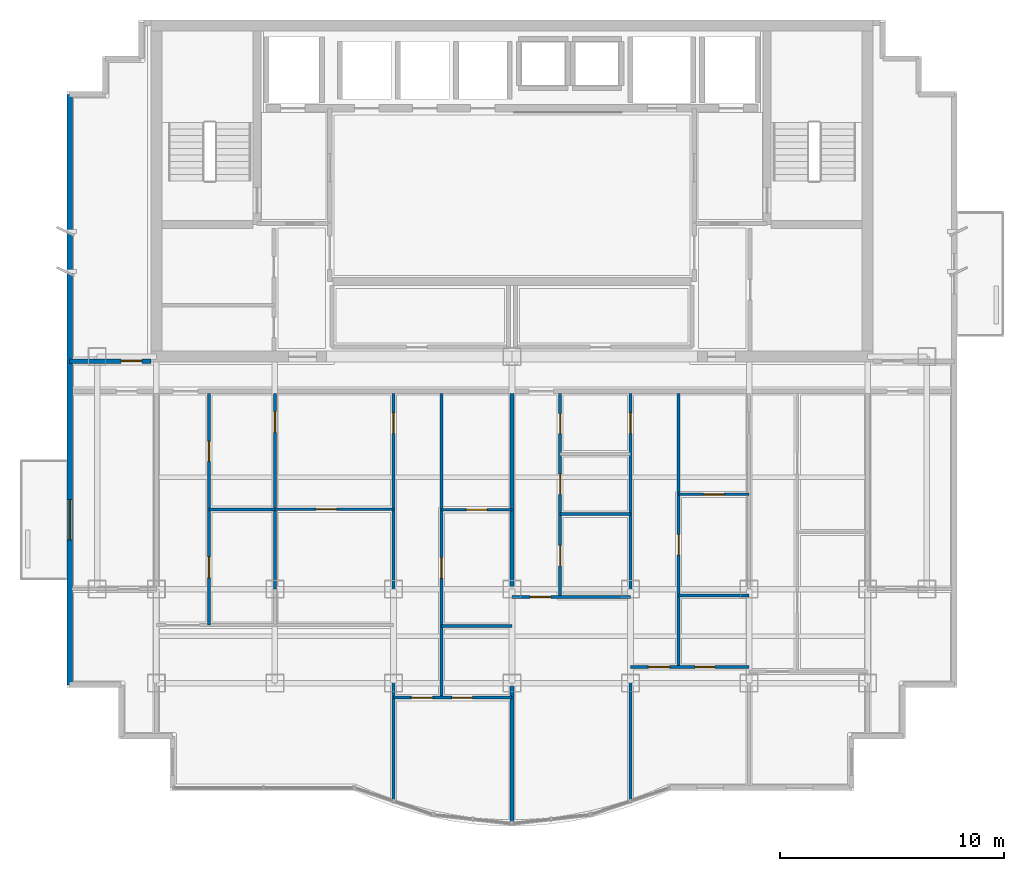
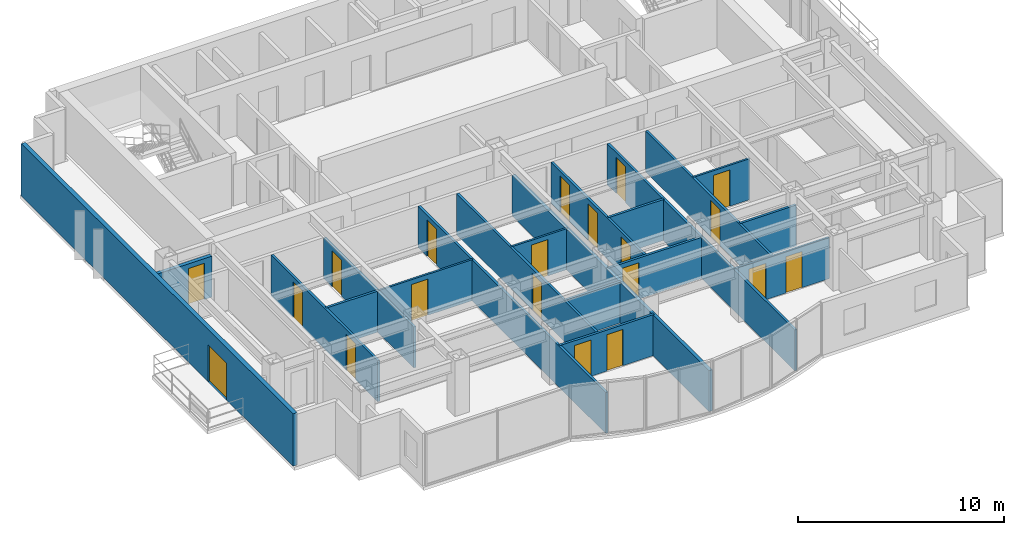
# One storey, part 4 of 9: 20 doors, 20 walls, 20 openings.
"""IFC4 building model written with IfcOpenShell, lengths in metres."""

from ifc_helpers import new_model, si_unit, direction, frame, frame_2d, origin, place, context, subcontext, project, spatial, rectangle, extrude, material, layer, layer_set, type_object, element, fill, save


model = new_model("IFC4")

# Units and contexts
model_context = context("Model", 3, precision=1e-05, world=origin(), true_north=direction((0.0, 1.0)))
body_context = subcontext(model_context, "Body", "Model", "MODEL_VIEW")
ifc_project = project(units=[si_unit("LENGTHUNIT", "METRE"), si_unit("AREAUNIT", "SQUARE_METRE"), si_unit("VOLUMEUNIT", "CUBIC_METRE"), si_unit("PLANEANGLEUNIT", "RADIAN"), si_unit("MASSUNIT", "GRAM", prefix="KILO")], contexts=[model_context])

# Site, building, storey
site_placement = place(None, origin())
site = spatial("IfcSite", under=ifc_project, at=site_placement, CompositionType="ELEMENT")
building_placement = place(site_placement, origin())
building = spatial("IfcBuilding", under=site, at=building_placement, Name="Qianlan Lanfeng Residences", CompositionType="ELEMENT")
storey_placement = place(building_placement, frame((0.0, 0.0, 209.89990234375)))
storey = spatial("IfcBuildingStorey", under=building, at=storey_placement, Name="L57", CompositionType="ELEMENT", Elevation=209.89990234375)

# Wall, opening, door
ifc_material_1 = material(Name="Concrete C42", Category="concrete")
ifc_layer_1 = layer(ifc_material_1, 0.239990234375)
ifc_layer_set_1 = layer_set([ifc_layer_1], Name="Concrete C42")
wall_type_1 = type_object("IfcWallType", Name="EW-240", PredefinedType="SOLIDWALL", material=ifc_layer_set_1)
wall_1_placement = place(storey_placement, frame((6.719970703125, 36.929931640625, 0.0), z_axis=(0.0, 0.0, 1.0), x_axis=(0.0, -1.0, 0.0)))
wall_1 = element("IfcWall", 1, at=wall_1_placement, inside=storey, type_object=wall_type_1, Name="L57 Terrace/Balcony Access Exterior Wall 21", PredefinedType="SOLIDWALL", context=body_context, shape_type="SweptSolid", body=[
    extrude(rectangle(XDim=26.409912109375, YDim=0.239990234375, at=frame_2d((13.205078125, 0.0))), origin(), (0.0, 0.0, 1.0), 3.110107421875),
])
opening_1_placement = place(wall_1_placement, frame((18.1298828125, 0.0, 0.0)))
opening_1 = element("IfcOpeningElement", 2, at=opening_1_placement, cuts=wall_1, Name="Opening L57-D-WB-S", PredefinedType="OPENING", context=body_context, shape_type="SweptSolid", body=[
    extrude(rectangle(XDim=1.800048828125, YDim=2.199951171875, at=frame_2d((0.89990234375, 1.10009765625))), frame((0.0, 0.1298828125, 0.0), z_axis=(0.0, -1.0, 0.0), x_axis=(1.0, 0.0, 0.0)), (0.0, 0.0, 1.0), 0.260009765625),
])
ifc_material_2 = material(Name="Anodised Bronze Aluminium Framed Glass", Category="aluminium")
door_type_1 = type_object("IfcDoorType", Name="DT-BAL1", OperationType="NOTDEFINED", PredefinedType="DOOR", material=ifc_material_2)
door_1_placement = place(opening_1_placement, frame((1.800048828125, 0.0, 0.0), z_axis=(0.0, 0.0, 1.0), x_axis=(-1.0, 0.0, 0.0)))
door_1 = element("IfcDoor", 3, at=door_1_placement, inside=storey, type_object=door_type_1, Name="L57 Exterior Access Door WB-S", OperationType="DOUBLE_DOOR_SLIDING", OverallHeight=2.199951171875, OverallWidth=1.800048828125, PredefinedType="DOOR", context=body_context, shape_type="SweptSolid", body=[
    extrude(rectangle(XDim=1.800048828125, YDim=2.199951171875, at=frame_2d((0.89990234375, 1.10009765625))), frame((0.0, 0.02490234375, 0.0), z_axis=(0.0, -1.0, 0.0), x_axis=(1.0, 0.0, 0.0)), (0.0, 0.0, 1.0), 0.050048828125),
])
fill(opening_1, door_1)

ifc_material_3 = material(Name="Demountable Acoustic Framing Partition 110 mm")
ifc_layer_2 = layer(ifc_material_3, 0.110107421875)
ifc_layer_set_2 = layer_set([ifc_layer_2], Name="Demountable Acoustic Framing Partition 110 mm")
wall_type_2 = type_object("IfcWallType", Name="PW-110", PredefinedType="MOVABLE", material=ifc_layer_set_2)
wall_2_placement = place(storey_placement, frame((15.89990234375, 18.3701171875, 0.0), z_axis=(0.0, 0.0, 1.0), x_axis=(1.0, 0.0, 0.0)))
wall_2 = element("IfcWall", 4, at=wall_2_placement, inside=storey, type_object=wall_type_2, Name="L57 U01 Study Split", PredefinedType="MOVABLE", context=body_context, shape_type="SweptSolid", body=[
    extrude(rectangle(XDim=5.300048828125, YDim=0.110107421875, at=frame_2d((2.64990234375, 0.0))), origin(), (0.0, 0.0, 1.0), 2.43017578125),
])
opening_2_placement = place(wall_2_placement, frame((1.840087890625, 0.0, 0.0)))
opening_2 = element("IfcOpeningElement", 5, at=opening_2_placement, cuts=wall_2, Name="Opening L57-D22", PredefinedType="OPENING", context=body_context, shape_type="SweptSolid", body=[
    extrude(rectangle(XDim=0.919921875, YDim=2.14990234375, at=frame_2d((0.4599609375, 1.074951171875))), frame((0.0, 0.06494140625, 0.0), z_axis=(0.0, -1.0, 0.0), x_axis=(1.0, 0.0, 0.0)), (0.0, 0.0, 1.0), 0.130126953125),
])
ifc_material_4 = material(Name="Glazed Timber Kitchen/Study Door", Category="wood")
door_type_2 = type_object("IfcDoorType", Name="DT-INT", OperationType="NOTDEFINED", PredefinedType="DOOR", material=ifc_material_4)
door_2_placement = place(opening_2_placement, origin())
door_2 = element("IfcDoor", 6, at=door_2_placement, inside=storey, type_object=door_type_2, Name="L57 U01 Study Inner Door L57-D22 (DT-INT)", OperationType="SINGLE_SWING_RIGHT", OverallHeight=2.14990234375, OverallWidth=0.919921875, PredefinedType="DOOR", context=body_context, shape_type="SweptSolid", body=[
    extrude(rectangle(XDim=0.919921875, YDim=2.14990234375, at=frame_2d((0.4599609375, 1.074951171875))), frame((0.0, 0.02490234375, 0.0), z_axis=(0.0, -1.0, 0.0), x_axis=(1.0, 0.0, 0.0)), (0.0, 0.0, 1.0), 0.050048828125),
])
fill(opening_2, door_2)

wall_3_placement = place(storey_placement, frame((23.35009765625, 18.34912109375, 0.0), z_axis=(0.0, 0.0, 1.0), x_axis=(1.0, 0.0, 0.0)))
wall_3 = element("IfcWall", 7, at=wall_3_placement, inside=storey, type_object=wall_type_2, Name="L57 U01 Wardrobe Split", PredefinedType="MOVABLE", context=body_context, shape_type="SweptSolid", body=[
    extrude(rectangle(XDim=3.14990234375, YDim=0.110107421875, at=frame_2d((1.574951171875, 0.0))), origin(), (0.0, 0.0, 1.0), 2.43017578125),
])
opening_3_placement = place(wall_3_placement, frame((1.114990234375, 0.0, 0.0)))
opening_3 = element("IfcOpeningElement", 8, at=opening_3_placement, cuts=wall_3, Name="Opening L57-D26", PredefinedType="OPENING", context=body_context, shape_type="SweptSolid", body=[
    extrude(rectangle(XDim=0.919921875, YDim=2.14990234375, at=frame_2d((0.4599609375, 1.074951171875))), frame((0.0, 0.06494140625, 0.0), z_axis=(0.0, -1.0, 0.0), x_axis=(1.0, 0.0, 0.0)), (0.0, 0.0, 1.0), 0.130126953125),
])
door_3_placement = place(opening_3_placement, origin())
door_3 = element("IfcDoor", 9, at=door_3_placement, inside=storey, type_object=door_type_2, Name="L57 U01 Dressing Inner Door L57-D26 (DT-INT)", OperationType="SINGLE_SWING_RIGHT", OverallHeight=2.14990234375, OverallWidth=0.919921875, PredefinedType="DOOR", context=body_context, shape_type="SweptSolid", body=[
    extrude(rectangle(XDim=0.919921875, YDim=2.14990234375, at=frame_2d((0.4599609375, 1.074951171875))), frame((0.0, 0.02490234375, 0.0), z_axis=(0.0, -1.0, 0.0), x_axis=(1.0, 0.0, 0.0)), (0.0, 0.0, 1.0), 0.050048828125),
])
fill(opening_3, door_3)

wall_4_placement = place(storey_placement, frame((33.949951171875, 19.034912109375, 0.0), z_axis=(0.0, 0.0, 1.0), x_axis=(1.0, 0.0, 0.0)))
wall_4 = element("IfcWall", 10, at=wall_4_placement, inside=storey, type_object=wall_type_2, Name="L57 U02 Wardrobe Split", PredefinedType="MOVABLE", context=body_context, shape_type="SweptSolid", body=[
    extrude(rectangle(XDim=3.150146484375, YDim=0.110107421875, at=frame_2d((1.5751953125, 0.0))), origin(), (0.0, 0.0, 1.0), 2.43017578125),
])
opening_4_placement = place(wall_4_placement, frame((1.114990234375, 0.0, 0.0)))
opening_4 = element("IfcOpeningElement", 11, at=opening_4_placement, cuts=wall_4, Name="Opening L57-D37", PredefinedType="OPENING", context=body_context, shape_type="SweptSolid", body=[
    extrude(rectangle(XDim=0.919921875, YDim=2.14990234375, at=frame_2d((0.4599609375, 1.074951171875))), frame((0.0, 0.06494140625, 0.0), z_axis=(0.0, -1.0, 0.0), x_axis=(1.0, 0.0, 0.0)), (0.0, 0.0, 1.0), 0.130126953125),
])
door_4_placement = place(opening_4_placement, origin())
door_4 = element("IfcDoor", 12, at=door_4_placement, inside=storey, type_object=door_type_2, Name="L57 U02 Dressing Inner Door L57-D37 (DT-INT)", OperationType="SINGLE_SWING_LEFT", OverallHeight=2.14990234375, OverallWidth=0.919921875, PredefinedType="DOOR", context=body_context, shape_type="SweptSolid", body=[
    extrude(rectangle(XDim=0.919921875, YDim=2.14990234375, at=frame_2d((0.4599609375, 1.074951171875))), frame((0.0, 0.02490234375, 0.0), z_axis=(0.0, -1.0, 0.0), x_axis=(1.0, 0.0, 0.0)), (0.0, 0.0, 1.0), 0.050048828125),
])
fill(opening_4, door_4)

ifc_material_5 = material(Name="Moisture-Resistant Gypsum Partition 135 mm")
ifc_layer_3 = layer(ifc_material_5, 0.135009765625)
ifc_layer_set_3 = layer_set([ifc_layer_3], Name="Moisture-Resistant Gypsum Partition 135 mm")
wall_type_3 = type_object("IfcWallType", Name="PW-135", PredefinedType="PARTITIONING", material=ifc_layer_set_3)
wall_5_placement = place(storey_placement, frame((15.89990234375, 14.800048828125, 0.0), z_axis=(0.0, 0.0, 1.0), x_axis=(0.0, 1.0, 0.0)))
wall_5 = element("IfcWall", 13, at=wall_5_placement, inside=storey, type_object=wall_type_3, Name="L57 U01 North Spine Wall", PredefinedType="PARTITIONING", context=body_context, shape_type="SweptSolid", body=[
    extrude(rectangle(XDim=8.75, YDim=0.135009765625, at=frame_2d((4.375, 0.0))), origin(), (0.0, 0.0, 1.0), 2.43017578125),
])
opening_5_placement = place(wall_5_placement, frame((7.014892578125, 0.0, 0.0)))
opening_5 = element("IfcOpeningElement", 14, at=opening_5_placement, cuts=wall_5, Name="Opening L57-D17", PredefinedType="OPENING", context=body_context, shape_type="SweptSolid", body=[
    extrude(rectangle(XDim=0.919921875, YDim=2.14990234375, at=frame_2d((0.4599609375, 1.074951171875))), frame((0.0, 0.07763671875, 0.0), z_axis=(0.0, -1.0, 0.0), x_axis=(1.0, 0.0, 0.0)), (0.0, 0.0, 1.0), 0.155029296875),
])
door_5_placement = place(opening_5_placement, origin())
door_5 = element("IfcDoor", 15, at=door_5_placement, inside=storey, type_object=door_type_2, Name="L57 U01 North Suite Door L57-D17 (DT-INT)", OperationType="SINGLE_SWING_LEFT", OverallHeight=2.14990234375, OverallWidth=0.919921875, PredefinedType="DOOR", context=body_context, shape_type="SweptSolid", body=[
    extrude(rectangle(XDim=0.919921875, YDim=2.14990234375, at=frame_2d((0.4599609375, 1.074951171875))), frame((0.0, 0.02490234375, 0.0), z_axis=(0.0, -1.0, 0.0), x_axis=(1.0, 0.0, 0.0)), (0.0, 0.0, 1.0), 0.050048828125),
])
fill(opening_5, door_5)

wall_6_placement = place(storey_placement, frame((21.199951171875, 5.3310546875, 0.0), z_axis=(0.0, 0.0, 1.0), x_axis=(0.0, 1.0, 0.0)))
wall_6 = element("IfcWall", 16, at=wall_6_placement, inside=storey, type_object=wall_type_3, Name="L57 U01 Bay Spine Wall 2", PredefinedType="PARTITIONING", context=body_context, shape_type="SweptSolid", body=[
    extrude(rectangle(XDim=18.218994140625, YDim=0.135009765625, at=frame_2d((9.109375, 0.0))), origin(), (0.0, 0.0, 1.0), 2.43017578125),
])
opening_6_placement = place(wall_6_placement, frame((16.43408203125, 0.0, 0.0)))
opening_6 = element("IfcOpeningElement", 17, at=opening_6_placement, cuts=wall_6, Name="Opening L57-D18", PredefinedType="OPENING", context=body_context, shape_type="SweptSolid", body=[
    extrude(rectangle(XDim=0.919921875, YDim=2.14990234375, at=frame_2d((0.4599609375, 1.074951171875))), frame((0.0, 0.07763671875, 0.0), z_axis=(0.0, -1.0, 0.0), x_axis=(1.0, 0.0, 0.0)), (0.0, 0.0, 1.0), 0.155029296875),
])
door_6_placement = place(opening_6_placement, origin())
door_6 = element("IfcDoor", 18, at=door_6_placement, inside=storey, type_object=door_type_2, Name="L57 U01 Internal Hall Door L57-D18 (DT-INT)", OperationType="SINGLE_SWING_RIGHT", OverallHeight=2.14990234375, OverallWidth=0.919921875, PredefinedType="DOOR", context=body_context, shape_type="SweptSolid", body=[
    extrude(rectangle(XDim=0.919921875, YDim=2.14990234375, at=frame_2d((0.4599609375, 1.074951171875))), frame((0.0, 0.02490234375, 0.0), z_axis=(0.0, -1.0, 0.0), x_axis=(1.0, 0.0, 0.0)), (0.0, 0.0, 1.0), 0.050048828125),
])
fill(opening_6, door_6)

# Wall, openings, doors
wall_7_placement = place(storey_placement, frame((12.949951171875, 13.18994140625, 0.0), z_axis=(0.0, 0.0, 1.0), x_axis=(0.0, 1.0, 0.0)))
wall_7 = element("IfcWall", 19, at=wall_7_placement, inside=storey, type_object=wall_type_3, Name="L57 U01 Kitchen/Bath Wall", PredefinedType="PARTITIONING", context=body_context, shape_type="SweptSolid", body=[
    extrude(rectangle(XDim=10.360107421875, YDim=0.135009765625, at=frame_2d((5.18017578125, 0.0))), origin(), (0.0, 0.0, 1.0), 2.43017578125),
])
opening_7_placement = place(wall_7_placement, frame((2.1298828125, 0.0, 0.0)))
opening_7 = element("IfcOpeningElement", 20, at=opening_7_placement, cuts=wall_7, Name="Opening L57-D20", PredefinedType="OPENING", context=body_context, shape_type="SweptSolid", body=[
    extrude(rectangle(XDim=0.919921875, YDim=2.14990234375, at=frame_2d((0.4599609375, 1.074951171875))), frame((0.0, 0.07763671875, 0.0), z_axis=(0.0, -1.0, 0.0), x_axis=(1.0, 0.0, 0.0)), (0.0, 0.0, 1.0), 0.155029296875),
])
opening_8_placement = place(wall_7_placement, frame((7.320068359375, 0.0, 0.0)))
opening_8 = element("IfcOpeningElement", 21, at=opening_8_placement, cuts=wall_7, Name="Opening L57-D21", PredefinedType="OPENING", context=body_context, shape_type="SweptSolid", body=[
    extrude(rectangle(XDim=0.89990234375, YDim=2.14990234375, at=frame_2d((0.449951171875, 1.074951171875))), frame((0.0, 0.07763671875, 0.0), z_axis=(0.0, -1.0, 0.0), x_axis=(1.0, 0.0, 0.0)), (0.0, 0.0, 1.0), 0.155029296875),
])
door_7_placement = place(opening_7_placement, origin())
door_7 = element("IfcDoor", 22, at=door_7_placement, inside=storey, type_object=door_type_2, Name="L57 U01 Kitchen Door L57-D20 (DT-INT)", OperationType="SINGLE_SWING_RIGHT", OverallHeight=2.14990234375, OverallWidth=0.919921875, PredefinedType="DOOR", context=body_context, shape_type="SweptSolid", body=[
    extrude(rectangle(XDim=0.919921875, YDim=2.14990234375, at=frame_2d((0.4599609375, 1.074951171875))), frame((0.0, 0.02490234375, 0.0), z_axis=(0.0, -1.0, 0.0), x_axis=(1.0, 0.0, 0.0)), (0.0, 0.0, 1.0), 0.050048828125),
])
fill(opening_7, door_7)
ifc_material_6 = material(Name="Moisture-Resistant Timber Leaf", Category="wood")
door_type_3 = type_object("IfcDoorType", Name="DT-WC", OperationType="NOTDEFINED", PredefinedType="DOOR", material=ifc_material_6)
door_8_placement = place(opening_8_placement, origin())
door_8 = element("IfcDoor", 23, at=door_8_placement, inside=storey, type_object=door_type_3, Name="L57 U01 Bathroom Door L57-D21 (DT-WC)", OperationType="SINGLE_SWING_LEFT", OverallHeight=2.14990234375, OverallWidth=0.89990234375, PredefinedType="DOOR", context=body_context, shape_type="SweptSolid", body=[
    extrude(rectangle(XDim=0.89990234375, YDim=2.14990234375, at=frame_2d((0.449951171875, 1.074951171875))), frame((0.0, 0.02490234375, 0.0), z_axis=(0.0, -1.0, 0.0), x_axis=(1.0, 0.0, 0.0)), (0.0, 0.0, 1.0), 0.050048828125),
])
fill(opening_8, door_8)

# Wall
wall_8_placement = place(storey_placement, frame((12.949951171875, 18.3701171875, 0.0), z_axis=(0.0, 0.0, 1.0), x_axis=(1.0, 0.0, 0.0)))
element("IfcWall", 24, at=wall_8_placement, inside=storey, type_object=wall_type_3, Name="L57 U01 Bath Split Wall", PredefinedType="PARTITIONING", context=body_context, shape_type="SweptSolid", body=[
    extrude(rectangle(XDim=2.949951171875, YDim=0.135009765625, at=frame_2d((1.47509765625, 0.0))), origin(), (0.0, 0.0, 1.0), 2.43017578125),
])

# Wall, openings, doors
wall_9_placement = place(storey_placement, frame((21.199951171875, 9.947998046875, 0.0), z_axis=(0.0, 0.0, 1.0), x_axis=(1.0, 0.0, 0.0)))
wall_9 = element("IfcWall", 25, at=wall_9_placement, inside=storey, type_object=wall_type_3, Name="L57 U01 Master Bedroom North Wall", PredefinedType="PARTITIONING", context=body_context, shape_type="SweptSolid", body=[
    extrude(rectangle(XDim=5.300048828125, YDim=0.135009765625, at=frame_2d((2.64990234375, 0.0))), origin(), (0.0, 0.0, 1.0), 2.43017578125),
])
opening_9_placement = place(wall_9_placement, frame((0.800048828125, 0.0, 0.0)))
opening_9 = element("IfcOpeningElement", 26, at=opening_9_placement, cuts=wall_9, Name="Opening L57-D23", PredefinedType="OPENING", context=body_context, shape_type="SweptSolid", body=[
    extrude(rectangle(XDim=0.949951171875, YDim=2.14990234375, at=frame_2d((0.47509765625, 1.074951171875))), frame((0.0, 0.07763671875, 0.0), z_axis=(0.0, -1.0, 0.0), x_axis=(1.0, 0.0, 0.0)), (0.0, 0.0, 1.0), 0.155029296875),
])
opening_10_placement = place(wall_9_placement, frame((2.625, 0.0, 0.0)))
opening_10 = element("IfcOpeningElement", 27, at=opening_10_placement, cuts=wall_9, Name="Opening L57-D24", PredefinedType="OPENING", context=body_context, shape_type="SweptSolid", body=[
    extrude(rectangle(XDim=0.89990234375, YDim=2.14990234375, at=frame_2d((0.449951171875, 1.074951171875))), frame((0.0, 0.07763671875, 0.0), z_axis=(0.0, -1.0, 0.0), x_axis=(1.0, 0.0, 0.0)), (0.0, 0.0, 1.0), 0.155029296875),
])
ifc_material_7 = material(Name="Painted Solid-Core Timber Leaf", Category="wood")
door_type_4 = type_object("IfcDoorType", Name="DT-BED", OperationType="NOTDEFINED", PredefinedType="DOOR", material=ifc_material_7)
door_9_placement = place(opening_9_placement, frame((0.949951171875, 0.0, 0.0), z_axis=(0.0, 0.0, 1.0), x_axis=(-1.0, 0.0, 0.0)))
door_9 = element("IfcDoor", 28, at=door_9_placement, inside=storey, type_object=door_type_4, Name="L57 U01 Master Bedroom Door L57-D23 (DT-BED)", OperationType="SINGLE_SWING_LEFT", OverallHeight=2.14990234375, OverallWidth=0.949951171875, PredefinedType="DOOR", context=body_context, shape_type="SweptSolid", body=[
    extrude(rectangle(XDim=0.949951171875, YDim=2.14990234375, at=frame_2d((0.47509765625, 1.074951171875))), frame((0.0, 0.02490234375, 0.0), z_axis=(0.0, -1.0, 0.0), x_axis=(1.0, 0.0, 0.0)), (0.0, 0.0, 1.0), 0.050048828125),
])
fill(opening_9, door_9)
door_10_placement = place(opening_10_placement, origin())
door_10 = element("IfcDoor", 29, at=door_10_placement, inside=storey, type_object=door_type_3, Name="L57 U01 En-Suite Bathroom Door L57-D24 (DT-WC)", OperationType="SINGLE_SWING_RIGHT", OverallHeight=2.14990234375, OverallWidth=0.89990234375, PredefinedType="DOOR", context=body_context, shape_type="SweptSolid", body=[
    extrude(rectangle(XDim=0.89990234375, YDim=2.14990234375, at=frame_2d((0.449951171875, 1.074951171875))), frame((0.0, 0.02490234375, 0.0), z_axis=(0.0, -1.0, 0.0), x_axis=(1.0, 0.0, 0.0)), (0.0, 0.0, 1.0), 0.050048828125),
])
fill(opening_10, door_10)

# Wall, opening, door
wall_10_placement = place(storey_placement, frame((23.35009765625, 9.947998046875, 0.0), z_axis=(0.0, 0.0, 1.0), x_axis=(0.0, 1.0, 0.0)))
wall_10 = element("IfcWall", 30, at=wall_10_placement, inside=storey, type_object=wall_type_3, Name="L57 U01 Master Passage Wall", PredefinedType="PARTITIONING", context=body_context, shape_type="SweptSolid", body=[
    extrude(rectangle(XDim=13.60205078125, YDim=0.135009765625, at=frame_2d((6.801025390625, 0.0))), origin(), (0.0, 0.0, 1.0), 2.43017578125),
])
opening_11_placement = place(wall_10_placement, frame((5.340087890625, 0.0, 0.0)))
opening_11 = element("IfcOpeningElement", 31, at=opening_11_placement, cuts=wall_10, Name="Opening L57-D25", PredefinedType="OPENING", context=body_context, shape_type="SweptSolid", body=[
    extrude(rectangle(XDim=0.919921875, YDim=2.14990234375, at=frame_2d((0.4599609375, 1.074951171875))), frame((0.0, 0.07763671875, 0.0), z_axis=(0.0, -1.0, 0.0), x_axis=(1.0, 0.0, 0.0)), (0.0, 0.0, 1.0), 0.155029296875),
])
door_11_placement = place(opening_11_placement, origin())
door_11 = element("IfcDoor", 32, at=door_11_placement, inside=storey, type_object=door_type_2, Name="L57 U01 Wardrobe Door L57-D25 (DT-INT)", OperationType="SINGLE_SWING_LEFT", OverallHeight=2.14990234375, OverallWidth=0.919921875, PredefinedType="DOOR", context=body_context, shape_type="SweptSolid", body=[
    extrude(rectangle(XDim=0.919921875, YDim=2.14990234375, at=frame_2d((0.4599609375, 1.074951171875))), frame((0.0, 0.02490234375, 0.0), z_axis=(0.0, -1.0, 0.0), x_axis=(1.0, 0.0, 0.0)), (0.0, 0.0, 1.0), 0.050048828125),
])
fill(opening_11, door_11)

# Wall
wall_11_placement = place(storey_placement, frame((23.35009765625, 13.14794921875, 0.0), z_axis=(0.0, 0.0, 1.0), x_axis=(1.0, 0.0, 0.0)))
element("IfcWall", 33, at=wall_11_placement, inside=storey, type_object=wall_type_3, Name="L57 U01 En-Suite North Wall", PredefinedType="PARTITIONING", context=body_context, shape_type="SweptSolid", body=[
    extrude(rectangle(XDim=3.14990234375, YDim=0.135009765625, at=frame_2d((1.574951171875, 0.0))), origin(), (0.0, 0.0, 1.0), 2.43017578125),
])

# Wall, opening, door
wall_12_placement = place(storey_placement, frame((31.800048828125, 5.3310546875, 0.0), z_axis=(0.0, 0.0, 1.0), x_axis=(0.0, 1.0, 0.0)))
wall_12 = element("IfcWall", 34, at=wall_12_placement, inside=storey, type_object=wall_type_3, Name="L57 U02 Bay Spine Wall 1", PredefinedType="PARTITIONING", context=body_context, shape_type="SweptSolid", body=[
    extrude(rectangle(XDim=18.218994140625, YDim=0.135009765625, at=frame_2d((9.109375, 0.0))), origin(), (0.0, 0.0, 1.0), 2.43017578125),
])
opening_12_placement = place(wall_12_placement, frame((16.43408203125, 0.0, 0.0)))
opening_12 = element("IfcOpeningElement", 35, at=opening_12_placement, cuts=wall_12, Name="Opening L57-D28", PredefinedType="OPENING", context=body_context, shape_type="SweptSolid", body=[
    extrude(rectangle(XDim=0.919921875, YDim=2.14990234375, at=frame_2d((0.4599609375, 1.074951171875))), frame((0.0, 0.07763671875, 0.0), z_axis=(0.0, -1.0, 0.0), x_axis=(1.0, 0.0, 0.0)), (0.0, 0.0, 1.0), 0.155029296875),
])
door_12_placement = place(opening_12_placement, origin())
door_12 = element("IfcDoor", 36, at=door_12_placement, inside=storey, type_object=door_type_2, Name="L57 U02 Internal Hall Door L57-D28 (DT-INT)", OperationType="SINGLE_SWING_RIGHT", OverallHeight=2.14990234375, OverallWidth=0.919921875, PredefinedType="DOOR", context=body_context, shape_type="SweptSolid", body=[
    extrude(rectangle(XDim=0.919921875, YDim=2.14990234375, at=frame_2d((0.4599609375, 1.074951171875))), frame((0.0, 0.02490234375, 0.0), z_axis=(0.0, -1.0, 0.0), x_axis=(1.0, 0.0, 0.0)), (0.0, 0.0, 1.0), 0.050048828125),
])
fill(opening_12, door_12)

wall_13_placement = place(storey_placement, frame((26.5, 14.447998046875, 0.0), z_axis=(0.0, 0.0, 1.0), x_axis=(1.0, 0.0, 0.0)))
wall_13 = element("IfcWall", 37, at=wall_13_placement, inside=storey, type_object=wall_type_3, Name="L57 U02 Living Divider", PredefinedType="PARTITIONING", context=body_context, shape_type="SweptSolid", body=[
    extrude(rectangle(XDim=5.300048828125, YDim=0.135009765625, at=frame_2d((2.64990234375, 0.0))), origin(), (0.0, 0.0, 1.0), 2.43017578125),
])
opening_13_placement = place(wall_13_placement, frame((0.81494140625, 0.0, 0.0)))
opening_13 = element("IfcOpeningElement", 38, at=opening_13_placement, cuts=wall_13, Name="Opening L57-D30", PredefinedType="OPENING", context=body_context, shape_type="SweptSolid", body=[
    extrude(rectangle(XDim=0.919921875, YDim=2.14990234375, at=frame_2d((0.4599609375, 1.074951171875))), frame((0.0, 0.07763671875, 0.0), z_axis=(0.0, -1.0, 0.0), x_axis=(1.0, 0.0, 0.0)), (0.0, 0.0, 1.0), 0.155029296875),
])
door_13_placement = place(opening_13_placement, frame((0.919921875, 0.0, 0.0), z_axis=(0.0, 0.0, 1.0), x_axis=(-1.0, 0.0, 0.0)))
door_13 = element("IfcDoor", 39, at=door_13_placement, inside=storey, type_object=door_type_2, Name="L57 U02 Living Passage Door L57-D30 (DT-INT)", OperationType="SINGLE_SWING_LEFT", OverallHeight=2.14990234375, OverallWidth=0.919921875, PredefinedType="DOOR", context=body_context, shape_type="SweptSolid", body=[
    extrude(rectangle(XDim=0.919921875, YDim=2.14990234375, at=frame_2d((0.4599609375, 1.074951171875))), frame((0.0, 0.02490234375, 0.0), z_axis=(0.0, -1.0, 0.0), x_axis=(1.0, 0.0, 0.0)), (0.0, 0.0, 1.0), 0.050048828125),
])
fill(opening_13, door_13)

# Wall, openings, doors
wall_14_placement = place(storey_placement, frame((28.64990234375, 14.447998046875, 0.0), z_axis=(0.0, 0.0, 1.0), x_axis=(0.0, 1.0, 0.0)))
wall_14 = element("IfcWall", 40, at=wall_14_placement, inside=storey, type_object=wall_type_3, Name="L57 U02 Entry Hall Spine", PredefinedType="PARTITIONING", context=body_context, shape_type="SweptSolid", body=[
    extrude(rectangle(XDim=9.10205078125, YDim=0.135009765625, at=frame_2d((4.551025390625, 0.0))), origin(), (0.0, 0.0, 1.0), 2.43017578125),
])
opening_14_placement = place(wall_14_placement, frame((1.39111328125, 0.0, 0.0)))
opening_14 = element("IfcOpeningElement", 41, at=opening_14_placement, cuts=wall_14, Name="Opening L57-D31", PredefinedType="OPENING", context=body_context, shape_type="SweptSolid", body=[
    extrude(rectangle(XDim=0.919921875, YDim=2.14990234375, at=frame_2d((0.4599609375, 1.074951171875))), frame((0.0, 0.07763671875, 0.0), z_axis=(0.0, -1.0, 0.0), x_axis=(1.0, 0.0, 0.0)), (0.0, 0.0, 1.0), 0.155029296875),
])
opening_15_placement = place(wall_14_placement, frame((4.592041015625, 0.0, 0.0)))
opening_15 = element("IfcOpeningElement", 42, at=opening_15_placement, cuts=wall_14, Name="Opening L57-D32", PredefinedType="OPENING", context=body_context, shape_type="SweptSolid", body=[
    extrude(rectangle(XDim=0.919921875, YDim=2.14990234375, at=frame_2d((0.4599609375, 1.074951171875))), frame((0.0, 0.07763671875, 0.0), z_axis=(0.0, -1.0, 0.0), x_axis=(1.0, 0.0, 0.0)), (0.0, 0.0, 1.0), 0.155029296875),
])
opening_16_placement = place(wall_14_placement, frame((7.302001953125, 0.0, 0.0)))
opening_16 = element("IfcOpeningElement", 43, at=opening_16_placement, cuts=wall_14, Name="Opening L57-D33", PredefinedType="OPENING", context=body_context, shape_type="SweptSolid", body=[
    extrude(rectangle(XDim=0.89990234375, YDim=2.14990234375, at=frame_2d((0.449951171875, 1.074951171875))), frame((0.0, 0.07763671875, 0.0), z_axis=(0.0, -1.0, 0.0), x_axis=(1.0, 0.0, 0.0)), (0.0, 0.0, 1.0), 0.155029296875),
])
door_14_placement = place(opening_14_placement, origin())
door_14 = element("IfcDoor", 44, at=door_14_placement, inside=storey, type_object=door_type_2, Name="L57 U02 Study Door L57-D31 (DT-INT)", OperationType="SINGLE_SWING_LEFT", OverallHeight=2.14990234375, OverallWidth=0.919921875, PredefinedType="DOOR", context=body_context, shape_type="SweptSolid", body=[
    extrude(rectangle(XDim=0.919921875, YDim=2.14990234375, at=frame_2d((0.4599609375, 1.074951171875))), frame((0.0, 0.02490234375, 0.0), z_axis=(0.0, -1.0, 0.0), x_axis=(1.0, 0.0, 0.0)), (0.0, 0.0, 1.0), 0.050048828125),
])
fill(opening_14, door_14)
door_15_placement = place(opening_15_placement, origin())
door_15 = element("IfcDoor", 45, at=door_15_placement, inside=storey, type_object=door_type_2, Name="L57 U02 Kitchen Door L57-D32 (DT-INT)", OperationType="SINGLE_SWING_RIGHT", OverallHeight=2.14990234375, OverallWidth=0.919921875, PredefinedType="DOOR", context=body_context, shape_type="SweptSolid", body=[
    extrude(rectangle(XDim=0.919921875, YDim=2.14990234375, at=frame_2d((0.4599609375, 1.074951171875))), frame((0.0, 0.02490234375, 0.0), z_axis=(0.0, -1.0, 0.0), x_axis=(1.0, 0.0, 0.0)), (0.0, 0.0, 1.0), 0.050048828125),
])
fill(opening_15, door_15)
door_16_placement = place(opening_16_placement, origin())
door_16 = element("IfcDoor", 46, at=door_16_placement, inside=storey, type_object=door_type_3, Name="L57 U02 Bathroom Door L57-D33 (DT-WC)", OperationType="SINGLE_SWING_LEFT", OverallHeight=2.14990234375, OverallWidth=0.89990234375, PredefinedType="DOOR", context=body_context, shape_type="SweptSolid", body=[
    extrude(rectangle(XDim=0.89990234375, YDim=2.14990234375, at=frame_2d((0.449951171875, 1.074951171875))), frame((0.0, 0.02490234375, 0.0), z_axis=(0.0, -1.0, 0.0), x_axis=(1.0, 0.0, 0.0)), (0.0, 0.0, 1.0), 0.050048828125),
])
fill(opening_16, door_16)

# Wall
wall_15_placement = place(storey_placement, frame((28.64990234375, 18.14990234375, 0.0), z_axis=(0.0, 0.0, 1.0), x_axis=(1.0, 0.0, 0.0)))
element("IfcWall", 47, at=wall_15_placement, inside=storey, type_object=wall_type_3, Name="L57 U02 Kitchen South Wall", PredefinedType="PARTITIONING", context=body_context, shape_type="SweptSolid", body=[
    extrude(rectangle(XDim=3.150146484375, YDim=0.135009765625, at=frame_2d((1.5751953125, 0.0))), origin(), (0.0, 0.0, 1.0), 2.43017578125),
])

# Wall, openings, doors
wall_16_placement = place(storey_placement, frame((31.800048828125, 11.320068359375, 0.0), z_axis=(0.0, 0.0, 1.0), x_axis=(1.0, 0.0, 0.0)))
wall_16 = element("IfcWall", 48, at=wall_16_placement, inside=storey, type_object=wall_type_3, Name="L57 U02 Master Bedroom North Wall", PredefinedType="PARTITIONING", context=body_context, shape_type="SweptSolid", body=[
    extrude(rectangle(XDim=5.300048828125, YDim=0.135009765625, at=frame_2d((2.64990234375, 0.0))), origin(), (0.0, 0.0, 1.0), 2.43017578125),
])
opening_17_placement = place(wall_16_placement, frame((0.800048828125, 0.0, 0.0)))
opening_17 = element("IfcOpeningElement", 49, at=opening_17_placement, cuts=wall_16, Name="Opening L57-D34", PredefinedType="OPENING", context=body_context, shape_type="SweptSolid", body=[
    extrude(rectangle(XDim=0.949951171875, YDim=2.14990234375, at=frame_2d((0.47509765625, 1.074951171875))), frame((0.0, 0.07763671875, 0.0), z_axis=(0.0, -1.0, 0.0), x_axis=(1.0, 0.0, 0.0)), (0.0, 0.0, 1.0), 0.155029296875),
])
opening_18_placement = place(wall_16_placement, frame((2.875, 0.0, 0.0)))
opening_18 = element("IfcOpeningElement", 50, at=opening_18_placement, cuts=wall_16, Name="Opening L57-D35", PredefinedType="OPENING", context=body_context, shape_type="SweptSolid", body=[
    extrude(rectangle(XDim=0.89990234375, YDim=2.14990234375, at=frame_2d((0.449951171875, 1.074951171875))), frame((0.0, 0.07763671875, 0.0), z_axis=(0.0, -1.0, 0.0), x_axis=(1.0, 0.0, 0.0)), (0.0, 0.0, 1.0), 0.155029296875),
])
door_17_placement = place(opening_17_placement, origin())
door_17 = element("IfcDoor", 51, at=door_17_placement, inside=storey, type_object=door_type_4, Name="L57 U02 Master Bedroom Door L57-D34 (DT-BED)", OperationType="SINGLE_SWING_LEFT", OverallHeight=2.14990234375, OverallWidth=0.949951171875, PredefinedType="DOOR", context=body_context, shape_type="SweptSolid", body=[
    extrude(rectangle(XDim=0.949951171875, YDim=2.14990234375, at=frame_2d((0.47509765625, 1.074951171875))), frame((0.0, 0.02490234375, 0.0), z_axis=(0.0, -1.0, 0.0), x_axis=(1.0, 0.0, 0.0)), (0.0, 0.0, 1.0), 0.050048828125),
])
fill(opening_17, door_17)
door_18_placement = place(opening_18_placement, origin())
door_18 = element("IfcDoor", 52, at=door_18_placement, inside=storey, type_object=door_type_3, Name="L57 U02 En-Suite Bathroom Door L57-D35 (DT-WC)", OperationType="SINGLE_SWING_RIGHT", OverallHeight=2.14990234375, OverallWidth=0.89990234375, PredefinedType="DOOR", context=body_context, shape_type="SweptSolid", body=[
    extrude(rectangle(XDim=0.89990234375, YDim=2.14990234375, at=frame_2d((0.449951171875, 1.074951171875))), frame((0.0, 0.02490234375, 0.0), z_axis=(0.0, -1.0, 0.0), x_axis=(1.0, 0.0, 0.0)), (0.0, 0.0, 1.0), 0.050048828125),
])
fill(opening_18, door_18)

# Wall, opening, door
wall_17_placement = place(storey_placement, frame((33.949951171875, 11.320068359375, 0.0), z_axis=(0.0, 0.0, 1.0), x_axis=(0.0, 1.0, 0.0)))
wall_17 = element("IfcWall", 53, at=wall_17_placement, inside=storey, type_object=wall_type_3, Name="L57 U02 Master Passage Wall", PredefinedType="PARTITIONING", context=body_context, shape_type="SweptSolid", body=[
    extrude(rectangle(XDim=12.22998046875, YDim=0.135009765625, at=frame_2d((6.114990234375, 0.0))), origin(), (0.0, 0.0, 1.0), 2.43017578125),
])
opening_19_placement = place(wall_17_placement, frame((4.998046875, 0.0, 0.0)))
opening_19 = element("IfcOpeningElement", 54, at=opening_19_placement, cuts=wall_17, Name="Opening L57-D36", PredefinedType="OPENING", context=body_context, shape_type="SweptSolid", body=[
    extrude(rectangle(XDim=0.919921875, YDim=2.14990234375, at=frame_2d((0.4599609375, 1.074951171875))), frame((0.0, 0.07763671875, 0.0), z_axis=(0.0, -1.0, 0.0), x_axis=(1.0, 0.0, 0.0)), (0.0, 0.0, 1.0), 0.155029296875),
])
door_19_placement = place(opening_19_placement, origin())
door_19 = element("IfcDoor", 55, at=door_19_placement, inside=storey, type_object=door_type_2, Name="L57 U02 Wardrobe Door L57-D36 (DT-INT)", OperationType="SINGLE_SWING_RIGHT", OverallHeight=2.14990234375, OverallWidth=0.919921875, PredefinedType="DOOR", context=body_context, shape_type="SweptSolid", body=[
    extrude(rectangle(XDim=0.919921875, YDim=2.14990234375, at=frame_2d((0.4599609375, 1.074951171875))), frame((0.0, 0.02490234375, 0.0), z_axis=(0.0, -1.0, 0.0), x_axis=(1.0, 0.0, 0.0)), (0.0, 0.0, 1.0), 0.050048828125),
])
fill(opening_19, door_19)

# Walls
wall_18_placement = place(storey_placement, frame((33.949951171875, 14.52001953125, 0.0), z_axis=(0.0, 0.0, 1.0), x_axis=(1.0, 0.0, 0.0)))
element("IfcWall", 56, at=wall_18_placement, inside=storey, type_object=wall_type_3, Name="L57 U02 En-Suite North Wall", PredefinedType="PARTITIONING", context=body_context, shape_type="SweptSolid", body=[
    extrude(rectangle(XDim=3.150146484375, YDim=0.135009765625, at=frame_2d((1.5751953125, 0.0))), origin(), (0.0, 0.0, 1.0), 2.43017578125),
])
ifc_material_8 = material(Name="Double-Layer Acoustic Gypsum Stud Wall 180 mm")
ifc_layer_4 = layer(ifc_material_8, 0.179931640625)
ifc_layer_set_4 = layer_set([ifc_layer_4], Name="Double-Layer Acoustic Gypsum Stud Wall 180 mm")
wall_type_4 = type_object("IfcWallType", Name="PW-180", PredefinedType="PARTITIONING", material=ifc_layer_set_4)
wall_19_placement = place(storey_placement, frame((26.5, 4.419921875, 0.0), z_axis=(0.0, 0.0, 1.0), x_axis=(0.0, 1.0, 0.0)))
element("IfcWall", 57, at=wall_19_placement, inside=storey, type_object=wall_type_4, Name="L57 Inter-Tenancy Party Wall 2", PredefinedType="PARTITIONING", context=body_context, shape_type="SweptSolid", body=[
    extrude(rectangle(XDim=19.130126953125, YDim=0.179931640625, at=frame_2d((9.56494140625, 0.0))), origin(), (0.0, 0.0, 1.0), 2.43017578125),
])

# Wall, opening, door
ifc_material_9 = material(Name="Autoclaved Aerated Concrete Blockwork 200 mm", Category="masonry")
ifc_layer_5 = layer(ifc_material_9, 0.199951171875)
ifc_layer_set_5 = layer_set([ifc_layer_5], Name="Autoclaved Aerated Concrete Blockwork 200 mm")
wall_type_5 = type_object("IfcWallType", Name="PW-200", PredefinedType="PARTITIONING", material=ifc_layer_set_5)
wall_20_placement = place(storey_placement, frame((6.719970703125, 25.0, 0.0), z_axis=(0.0, 0.0, 1.0), x_axis=(1.0, 0.0, 0.0)))
wall_20 = element("IfcWall", 58, at=wall_20_placement, inside=storey, type_object=wall_type_5, Name="L57 Corridor NW Wall", PredefinedType="PARTITIONING", context=body_context, shape_type="SweptSolid", body=[
    extrude(rectangle(XDim=3.630126953125, YDim=0.199951171875, at=frame_2d((1.81494140625, 0.0))), origin(), (0.0, 0.0, 1.0), 2.43017578125),
])
opening_20_placement = place(wall_20_placement, frame((2.304931640625, 0.0, 0.0)))
opening_20 = element("IfcOpeningElement", 59, at=opening_20_placement, cuts=wall_20, Name="Opening L57-D45", PredefinedType="OPENING", context=body_context, shape_type="SweptSolid", body=[
    extrude(rectangle(XDim=0.919921875, YDim=2.14990234375, at=frame_2d((0.4599609375, 1.074951171875))), frame((0.0, 0.10986328125, 0.0), z_axis=(0.0, -1.0, 0.0), x_axis=(1.0, 0.0, 0.0)), (0.0, 0.0, 1.0), 0.219970703125),
])
door_20_placement = place(opening_20_placement, frame((0.919921875, 0.0, 0.0), z_axis=(0.0, 0.0, 1.0), x_axis=(-1.0, 0.0, 0.0)))
door_20 = element("IfcDoor", 60, at=door_20_placement, inside=storey, type_object=door_type_2, Name="L57 WW Amenity Salon Door L57-D45 (DT-INT)", OperationType="SINGLE_SWING_LEFT", OverallHeight=2.14990234375, OverallWidth=0.919921875, PredefinedType="DOOR", context=body_context, shape_type="SweptSolid", body=[
    extrude(rectangle(XDim=0.919921875, YDim=2.14990234375, at=frame_2d((0.4599609375, 1.074951171875))), frame((0.0, 0.02490234375, 0.0), z_axis=(0.0, -1.0, 0.0), x_axis=(1.0, 0.0, 0.0)), (0.0, 0.0, 1.0), 0.050048828125),
])
fill(opening_20, door_20)

save(model, "model.ifc")
